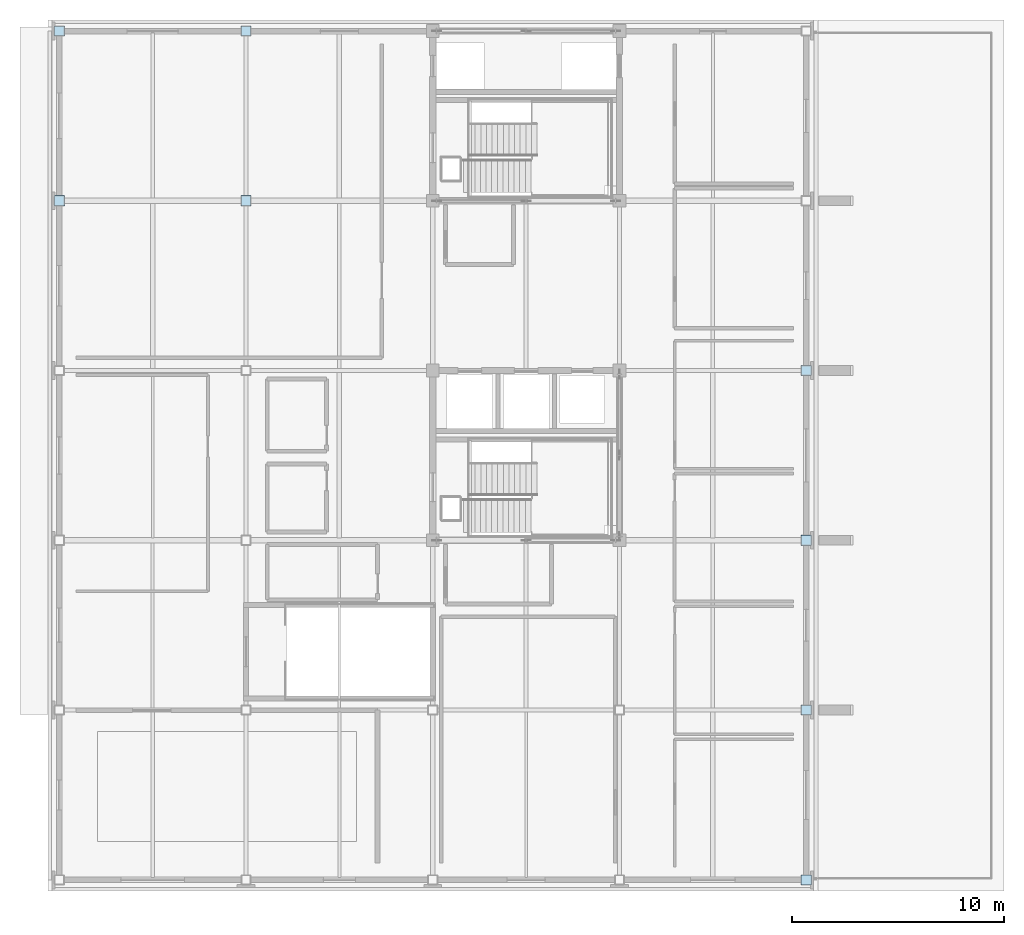
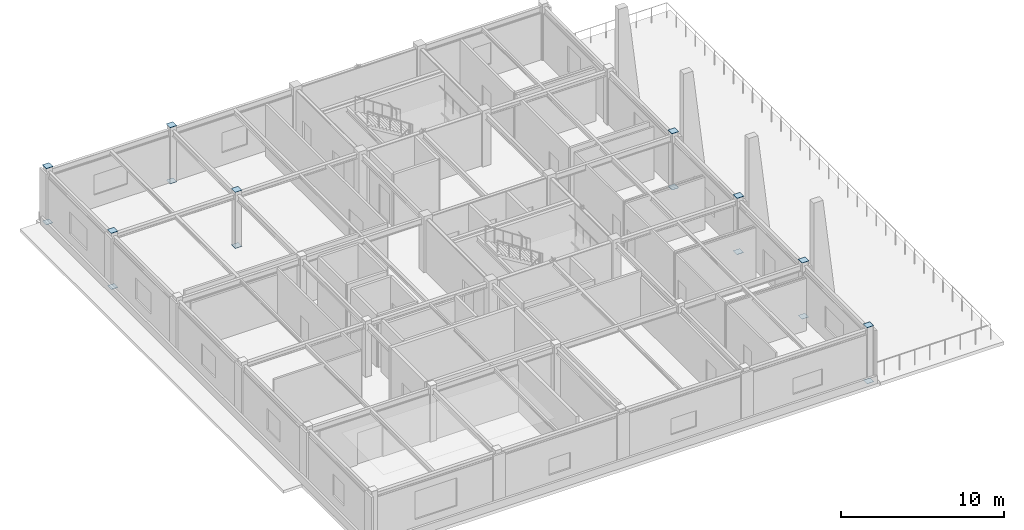
# One storey, part 4 of 13: 17 plates.
"""IFC4 building model written with IfcOpenShell, lengths in metres."""

from ifc_helpers import new_model, si_unit, direction, frame, origin, origin_2d, place, context, subcontext, project, spatial, rectangle, extrude, material, layer, layer_set, type_object, element, save


model = new_model("IFC4")

# Units and contexts
model_context = context("Model", 3, precision=1e-05, world=origin(), true_north=direction((0.0, 1.0)))
body_context = subcontext(model_context, "Body", "Model", "MODEL_VIEW")
ifc_project = project(units=[si_unit("LENGTHUNIT", "METRE"), si_unit("AREAUNIT", "SQUARE_METRE"), si_unit("VOLUMEUNIT", "CUBIC_METRE"), si_unit("PLANEANGLEUNIT", "RADIAN"), si_unit("MASSUNIT", "GRAM", prefix="KILO")], contexts=[model_context])

# Site, building, storey
site_placement = place(None, origin())
site = spatial("IfcSite", under=ifc_project, at=site_placement, CompositionType="ELEMENT")
building_placement = place(site_placement, origin())
building = spatial("IfcBuilding", under=site, at=building_placement, Name="Zhaolan Boulevard Law Courts", CompositionType="ELEMENT")
storey_placement = place(building_placement, frame((0.0, 0.0, 37.199951171875)))
storey = spatial("IfcBuildingStorey", under=building, at=storey_placement, Name="L08", CompositionType="ELEMENT", Elevation=37.199951171875)

# Plates
ifc_material = material(Name="Structural steel Q355B", Category="steel")
ifc_layer = layer(ifc_material, 0.02001953125)
ifc_layer_set = layer_set([ifc_layer])
plate_type = type_object("IfcPlateType", Name="END CAP PLATE 20", PredefinedType="SHEET", material=ifc_layer_set)
plate_placement = place(storey_placement, frame((35.199951171875, 30.0, 4.179931640625), z_axis=(0.0, 0.0, 1.0), x_axis=(1.0, 0.0, 0.0)))
element("IfcPlate", 1, at=plate_placement, inside=storey, type_object=plate_type, Name="Hollow Column Top End-Cap Plate ECP-5E", PredefinedType="SHEET", context=body_context, shape_type="SweptSolid", body=[
    extrude(rectangle(XDim=0.449951171875, YDim=0.449951171875, at=origin_2d()), origin(), (0.0, 0.0, 1.0), 0.02001953125),
])
for number, where, z_axis, x_axis, name in (
    (2, (0.0, 62.0, -0.01806640625), (0.0, 0.0, 1.0), (1.0, 0.0, 0.0), "Hollow Section End-Cap Plate ECP-0105"),
    (3, (0.0, 62.0, 4.197998046875), (0.0, 0.0, 1.0), (1.0, 0.0, 0.0), "Hollow Section End-Cap Plate ECP-0106"),
    (4, (0.0, 70.0, -0.01806640625), (0.0, 0.0, 1.0), (1.0, 0.0, 0.0), "Hollow Section End-Cap Plate ECP-0127"),
    (5, (0.0, 70.0, 4.197998046875), (0.0, 0.0, 1.0), (1.0, 0.0, 0.0), "Hollow Section End-Cap Plate ECP-0128"),
    (6, (8.800048828125, 62.0, -0.01806640625), (0.0, 0.0, 1.0), (1.0, 0.0, 0.0), "Hollow Section End-Cap Plate ECP-0239"),
    (7, (8.800048828125, 62.0, 4.197998046875), (0.0, 0.0, 1.0), (1.0, 0.0, 0.0), "Hollow Section End-Cap Plate ECP-0240"),
    (8, (8.800048828125, 70.0, -0.01806640625), (0.0, 0.0, 1.0), (1.0, 0.0, 0.0), "Hollow Section End-Cap Plate ECP-0261"),
    (9, (8.800048828125, 70.0, 4.197998046875), (0.0, 0.0, 1.0), (1.0, 0.0, 0.0), "Hollow Section End-Cap Plate ECP-0262"),
    (10, (35.199951171875, 30.0, -0.01806640625), (0.0, 0.0, 1.0), (1.0, 0.0, 0.0), "Hollow Section End-Cap Plate ECP-0375"),
    (11, (35.199951171875, 30.0, 4.197998046875), (0.0, 0.0, 1.0), (1.0, 0.0, 0.0), "Hollow Section End-Cap Plate ECP-0376"),
    (12, (35.199951171875, 38.0, -0.01806640625), (0.0, 0.0, 1.0), (1.0, 0.0, 0.0), "Hollow Section End-Cap Plate ECP-0395"),
    (13, (35.199951171875, 38.0, 4.197998046875), (0.0, 0.0, 1.0), (1.0, 0.0, 0.0), "Hollow Section End-Cap Plate ECP-0396"),
    (14, (35.199951171875, 46.0, -0.01806640625), (0.0, 0.0, 1.0), (1.0, 0.0, 0.0), "Hollow Section End-Cap Plate ECP-0417"),
    (15, (35.199951171875, 46.0, 4.197998046875), (0.0, 0.0, 1.0), (1.0, 0.0, 0.0), "Hollow Section End-Cap Plate ECP-0418"),
    (16, (35.199951171875, 54.0, -0.01806640625), (0.0, 0.0, 1.0), (1.0, 0.0, 0.0), "Hollow Section End-Cap Plate ECP-0439"),
    (17, (35.199951171875, 54.0, 4.197998046875), (0.0, 0.0, 1.0), (1.0, 0.0, 0.0), "Hollow Section End-Cap Plate ECP-0440"),
):
    element("IfcPlate", number, at=place(storey_placement, frame(where, z_axis=z_axis, x_axis=x_axis)), inside=storey, type_object=plate_type, Name=name, PredefinedType="SHEET", context=body_context, shape_type="SweptSolid", body=[
        extrude(rectangle(XDim=0.47998046875, YDim=0.47998046875, at=origin_2d()), origin(), (0.0, 0.0, 1.0), 0.02001953125),
    ])

save(model, "model.ifc")
